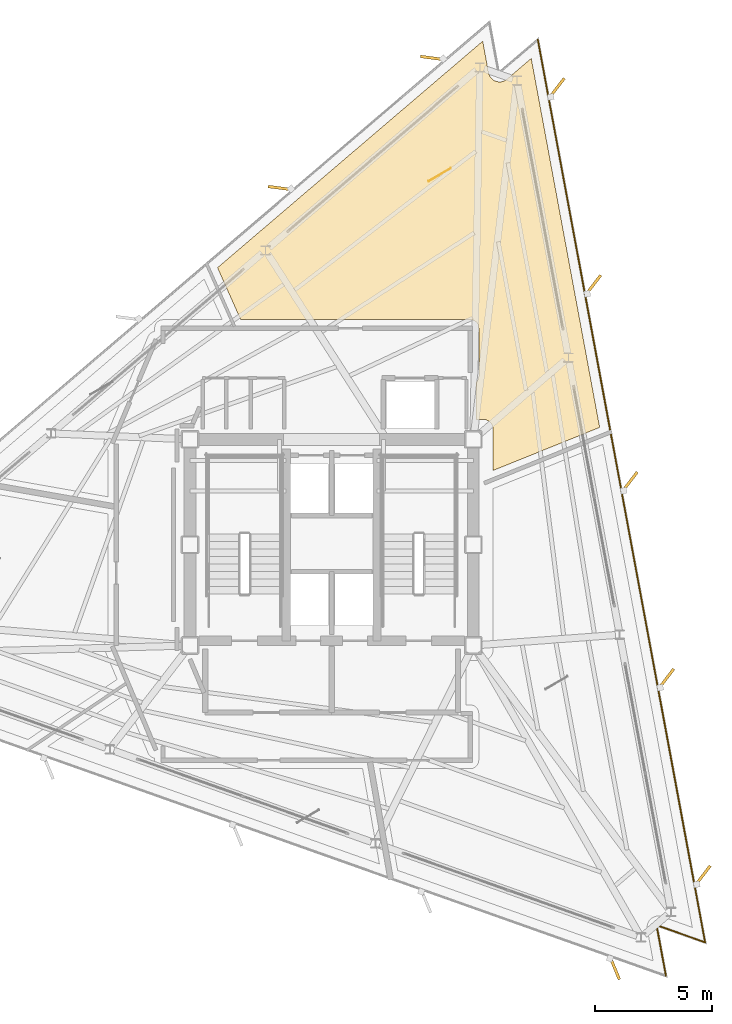
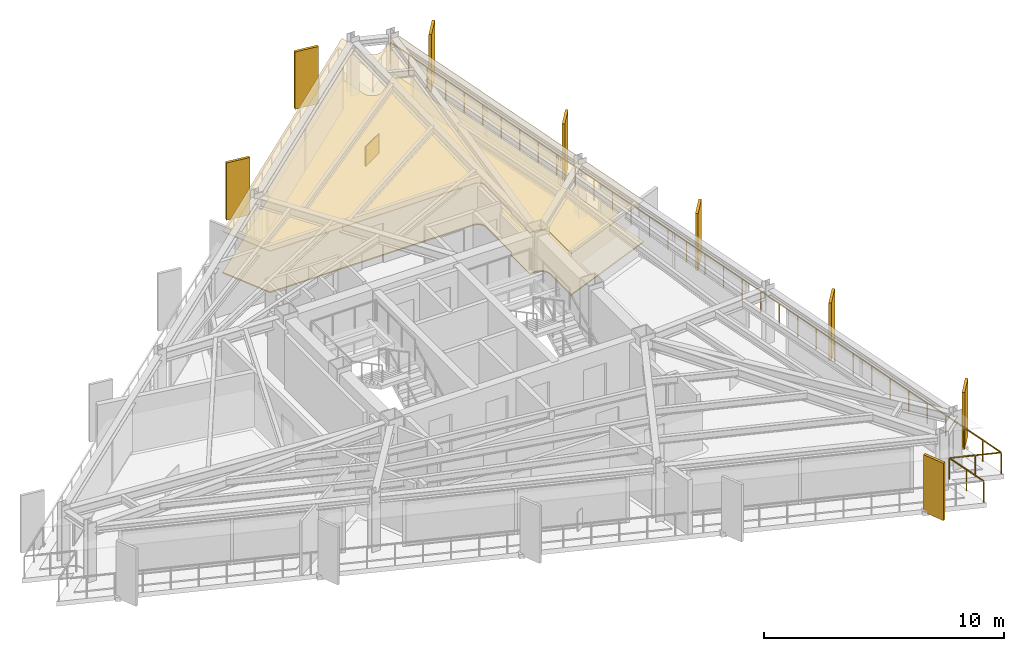
# One storey, part 14 of 14: 8 shading devices, 3 coverings, 1 railing.
"""IFC4 building model written with IfcOpenShell, lengths in metres."""

from ifc_helpers import new_model, si_unit, direction, frame, origin, origin_2d, place, context, subcontext, project, spatial, polyline, rectangle, outline, extrude, material, layer, layer_set, type_object, element, save


model = new_model("IFC4")

# Units and contexts
model_context = context("Model", 3, precision=1e-05, world=origin(), true_north=direction((0.0, 1.0)))
body_context = subcontext(model_context, "Body", "Model", "MODEL_VIEW")
ifc_project = project(units=[si_unit("LENGTHUNIT", "METRE"), si_unit("AREAUNIT", "SQUARE_METRE"), si_unit("VOLUMEUNIT", "CUBIC_METRE"), si_unit("PLANEANGLEUNIT", "RADIAN"), si_unit("MASSUNIT", "GRAM", prefix="KILO")], contexts=[model_context])

# Site, building, storey
site_placement = place(None, origin())
site = spatial("IfcSite", under=ifc_project, at=site_placement, CompositionType="ELEMENT")
building_placement = place(site_placement, origin())
building = spatial("IfcBuilding", under=site, at=building_placement, Name="Rocaltana Carrier Exchange", CompositionType="ELEMENT")
storey_placement = place(building_placement, frame((0.0, 0.0, 184.47998046875)))
storey = spatial("IfcBuildingStorey", under=building, at=storey_placement, Name="L58", CompositionType="ELEMENT", Elevation=184.47998046875)

# Coverings
ifc_material_1 = material(Name="Calcium Sulphate & Aluminium Pedestal", Category="aluminium")
ifc_layer_1 = layer(ifc_material_1, 0.06005859375)
ifc_layer_set_1 = layer_set([ifc_layer_1], Name="Calcium Sulphate & Aluminium Pedestal")
covering_type_1 = type_object("IfcCoveringType", Name="Anti-Static Raised Exchange Access Floor 60", PredefinedType="FLOORING", material=ifc_layer_set_1)
covering_1_placement = place(storey_placement, origin())
element("IfcCovering", 1, at=covering_1_placement, inside=storey, type_object=covering_type_1, Name="L58 Optical Switching Laboratory Finish Floor", PredefinedType="FLOORING", context=body_context, shape_type="SweptSolid", body=[
    extrude(outline(polyline([(6.159912109375, 6.931884765625), (6.16455078125, 6.93603515625), (6.18408203125, 6.955322265625), (6.189208984375, 6.961181640625), (6.206787109375, 6.982421875), (6.21142578125, 6.98876953125), (6.226806640625, 7.01171875), (6.230712890625, 7.018310546875), (6.24365234375, 7.04248046875), (6.2470703125, 7.0498046875), (6.257568359375, 7.0751953125), (6.26025390625, 7.08251953125), (6.268310546875, 7.108642578125), (6.27001953125, 7.116455078125), (6.275390625, 7.143310546875), (6.276611328125, 7.151123046875), (6.279296875, 7.178466796875), (6.27978515625, 7.186279296875), (6.280029296875, 7.199951171875), (6.280029296875, 9.25), (6.27978515625, 9.263671875), (6.279296875, 9.271484375), (6.276611328125, 9.298828125), (6.275390625, 9.306640625), (6.27001953125, 9.33349609375), (6.268310546875, 9.34130859375), (6.26025390625, 9.36767578125), (6.257568359375, 9.375), (6.2470703125, 9.400390625), (6.24365234375, 9.407470703125), (6.230712890625, 9.431640625), (6.226806640625, 9.4384765625), (6.21142578125, 9.461181640625), (6.206787109375, 9.467529296875), (6.189208984375, 9.48876953125), (6.18408203125, 9.49462890625), (6.16455078125, 9.513916015625), (6.15869140625, 9.519287109375), (6.137451171875, 9.53662109375), (6.131103515625, 9.54150390625), (6.1083984375, 9.556640625), (6.101806640625, 9.560791015625), (6.077392578125, 9.57373046875), (6.0703125, 9.576904296875), (6.044921875, 9.58740234375), (6.03759765625, 9.590087890625), (6.01123046875, 9.59814453125), (6.003662109375, 9.60009765625), (5.976806640625, 9.60546875), (5.968994140625, 9.606689453125), (5.941650390625, 9.609375), (5.93359375, 9.609619140625), (5.919921875, 9.610107421875), (-3.884521484375, 9.610107421875), (-4.87451171875, 11.83349609375), (6.447998046875, 21.50390625), (6.697265625, 20.157958984375), (6.7001953125, 20.144287109375), (6.704833984375, 20.125), (6.712646484375, 20.09814453125), (6.718994140625, 20.079345703125), (6.7294921875, 20.053466796875), (6.73779296875, 20.035400390625), (6.7509765625, 20.010498046875), (6.760986328125, 19.993408203125), (6.7763671875, 19.97021484375), (6.7880859375, 19.9541015625), (6.8056640625, 19.932373046875), (6.819091796875, 19.91748046875), (6.838623046875, 19.897705078125), (6.853515625, 19.88427734375), (6.875, 19.866455078125), (6.89111328125, 19.8544921875), (6.914306640625, 19.839111328125), (6.931396484375, 19.828857421875), (6.955810546875, 19.815673828125), (6.973876953125, 19.80712890625), (6.999755859375, 19.796630859375), (7.0185546875, 19.789794921875), (7.04541015625, 19.781982421875), (7.064697265625, 19.777099609375), (7.092041015625, 19.77197265625), (7.11181640625, 19.76904296875), (7.1396484375, 19.7666015625), (7.159423828125, 19.765625), (7.1875, 19.76611328125), (7.207275390625, 19.76708984375), (7.235107421875, 19.770263671875), (7.2548828125, 19.773193359375), (7.281982421875, 19.779052734375), (7.301513671875, 19.7841796875), (7.327880859375, 19.79248046875), (7.3466796875, 19.799560546875), (7.372314453125, 19.810791015625), (7.39013671875, 19.819580078125), (7.41455078125, 19.8330078125), (7.431396484375, 19.843505859375), (7.454345703125, 19.859619140625), (7.47021484375, 19.87158203125), (7.48095703125, 19.880615234375), (8.521728515625, 20.769287109375), (11.4423828125, 5.01123046875), (6.889892578125, 3.172119140625), (6.889892578125, 4.919921875), (6.8896484375, 4.93359375), (6.888916015625, 4.949462890625), (6.88623046875, 4.976806640625), (6.8837890625, 4.9921875), (6.87841796875, 5.019287109375), (6.874755859375, 5.034423828125), (6.86669921875, 5.060791015625), (6.861572265625, 5.07568359375), (6.850830078125, 5.100830078125), (6.84423828125, 5.114990234375), (6.831298828125, 5.139404296875), (6.8232421875, 5.15283203125), (6.807861328125, 5.17578125), (6.798583984375, 5.188232421875), (6.781005859375, 5.20947265625), (6.7705078125, 5.22119140625), (6.751220703125, 5.240478515625), (6.739501953125, 5.251220703125), (6.71826171875, 5.2685546875), (6.705810546875, 5.27783203125), (6.682861328125, 5.293212890625), (6.66943359375, 5.30126953125), (6.64501953125, 5.314208984375), (6.630859375, 5.32080078125), (6.605712890625, 5.33154296875), (6.5908203125, 5.336669921875), (6.564453125, 5.3447265625), (6.54931640625, 5.348388671875), (6.522216796875, 5.35400390625), (6.5068359375, 5.356201171875), (6.4794921875, 5.35888671875), (6.463623046875, 5.359619140625), (6.449951171875, 5.360107421875), (6.159912109375, 5.360107421875), (6.159912109375, 6.931884765625)])), origin(), (0.0, 0.0, 1.0), 0.06005859375),
])
ifc_material_2 = material(Name="Mineral Fibre & Powder-Coated Aluminium", Category="aluminium")
ifc_layer_2 = layer(ifc_material_2, 0.044921875)
ifc_layer_set_2 = layer_set([ifc_layer_2], Name="Mineral Fibre & Powder-Coated Aluminium")
covering_type_2 = type_object("IfcCoveringType", Name="Micro-Perforated Acoustic Ceiling 45", PredefinedType="CEILING", material=ifc_layer_set_2)
covering_2_placement = place(storey_placement, frame((0.0, 0.0, 2.10302734375)))
element("IfcCovering", 2, at=covering_2_placement, inside=storey, type_object=covering_type_2, Name="L58 Optical Switching Laboratory Acoustic Ceiling", PredefinedType="CEILING", context=body_context, shape_type="SweptSolid", body=[
    extrude(outline(polyline([(6.159912109375, 6.931884765625), (6.16455078125, 6.93603515625), (6.18408203125, 6.955322265625), (6.189208984375, 6.961181640625), (6.206787109375, 6.982421875), (6.21142578125, 6.98876953125), (6.226806640625, 7.01171875), (6.230712890625, 7.018310546875), (6.24365234375, 7.04248046875), (6.2470703125, 7.0498046875), (6.257568359375, 7.0751953125), (6.26025390625, 7.08251953125), (6.268310546875, 7.108642578125), (6.27001953125, 7.116455078125), (6.275390625, 7.143310546875), (6.276611328125, 7.151123046875), (6.279296875, 7.178466796875), (6.27978515625, 7.186279296875), (6.280029296875, 7.199951171875), (6.280029296875, 9.25), (6.27978515625, 9.263671875), (6.279296875, 9.271484375), (6.276611328125, 9.298828125), (6.275390625, 9.306640625), (6.27001953125, 9.33349609375), (6.268310546875, 9.34130859375), (6.26025390625, 9.36767578125), (6.257568359375, 9.375), (6.2470703125, 9.400390625), (6.24365234375, 9.407470703125), (6.230712890625, 9.431640625), (6.226806640625, 9.4384765625), (6.21142578125, 9.461181640625), (6.206787109375, 9.467529296875), (6.189208984375, 9.48876953125), (6.18408203125, 9.49462890625), (6.16455078125, 9.513916015625), (6.15869140625, 9.519287109375), (6.137451171875, 9.53662109375), (6.131103515625, 9.54150390625), (6.1083984375, 9.556640625), (6.101806640625, 9.560791015625), (6.077392578125, 9.57373046875), (6.0703125, 9.576904296875), (6.044921875, 9.58740234375), (6.03759765625, 9.590087890625), (6.01123046875, 9.59814453125), (6.003662109375, 9.60009765625), (5.976806640625, 9.60546875), (5.968994140625, 9.606689453125), (5.941650390625, 9.609375), (5.93359375, 9.609619140625), (5.919921875, 9.610107421875), (-3.884521484375, 9.610107421875), (-4.87451171875, 11.83349609375), (6.447998046875, 21.50390625), (6.697265625, 20.157958984375), (6.7001953125, 20.144287109375), (6.704833984375, 20.125), (6.712646484375, 20.09814453125), (6.718994140625, 20.079345703125), (6.7294921875, 20.053466796875), (6.73779296875, 20.035400390625), (6.7509765625, 20.010498046875), (6.760986328125, 19.993408203125), (6.7763671875, 19.97021484375), (6.7880859375, 19.9541015625), (6.8056640625, 19.932373046875), (6.819091796875, 19.91748046875), (6.838623046875, 19.897705078125), (6.853515625, 19.88427734375), (6.875, 19.866455078125), (6.89111328125, 19.8544921875), (6.914306640625, 19.839111328125), (6.931396484375, 19.828857421875), (6.955810546875, 19.815673828125), (6.973876953125, 19.80712890625), (6.999755859375, 19.796630859375), (7.0185546875, 19.789794921875), (7.04541015625, 19.781982421875), (7.064697265625, 19.777099609375), (7.092041015625, 19.77197265625), (7.11181640625, 19.76904296875), (7.1396484375, 19.7666015625), (7.159423828125, 19.765625), (7.1875, 19.76611328125), (7.207275390625, 19.76708984375), (7.235107421875, 19.770263671875), (7.2548828125, 19.773193359375), (7.281982421875, 19.779052734375), (7.301513671875, 19.7841796875), (7.327880859375, 19.79248046875), (7.3466796875, 19.799560546875), (7.372314453125, 19.810791015625), (7.39013671875, 19.819580078125), (7.41455078125, 19.8330078125), (7.431396484375, 19.843505859375), (7.454345703125, 19.859619140625), (7.47021484375, 19.87158203125), (7.48095703125, 19.880615234375), (8.521728515625, 20.769287109375), (11.4423828125, 5.01123046875), (6.889892578125, 3.172119140625), (6.889892578125, 4.919921875), (6.8896484375, 4.93359375), (6.888916015625, 4.949462890625), (6.88623046875, 4.976806640625), (6.8837890625, 4.9921875), (6.87841796875, 5.019287109375), (6.874755859375, 5.034423828125), (6.86669921875, 5.060791015625), (6.861572265625, 5.07568359375), (6.850830078125, 5.100830078125), (6.84423828125, 5.114990234375), (6.831298828125, 5.139404296875), (6.8232421875, 5.15283203125), (6.807861328125, 5.17578125), (6.798583984375, 5.188232421875), (6.781005859375, 5.20947265625), (6.7705078125, 5.22119140625), (6.751220703125, 5.240478515625), (6.739501953125, 5.251220703125), (6.71826171875, 5.2685546875), (6.705810546875, 5.27783203125), (6.682861328125, 5.293212890625), (6.66943359375, 5.30126953125), (6.64501953125, 5.314208984375), (6.630859375, 5.32080078125), (6.605712890625, 5.33154296875), (6.5908203125, 5.336669921875), (6.564453125, 5.3447265625), (6.54931640625, 5.348388671875), (6.522216796875, 5.35400390625), (6.5068359375, 5.356201171875), (6.4794921875, 5.35888671875), (6.463623046875, 5.359619140625), (6.449951171875, 5.360107421875), (6.159912109375, 5.360107421875), (6.159912109375, 6.931884765625)])), origin(), (0.0, 0.0, 1.0), 0.044921875),
])
ifc_material_3 = material(Name="Honed Piedra Muneca Sandstone", Category="masonry")
ifc_layer_3 = layer(ifc_material_3, 0.034912109375)
ifc_layer_set_3 = layer_set([ifc_layer_3], Name="Honed Piedra Muneca Sandstone")
covering_type_3 = type_object("IfcCoveringType", Name="Stone Facade Cladding 35", PredefinedType="CLADDING", material=ifc_layer_set_3)
covering_3_placement = place(storey_placement, frame((4.60595703125, 15.799560546875, 0.0), z_axis=(0.0, 0.0, 1.0), x_axis=(0.866025403784, 0.5, 0.0)))
element("IfcCovering", 3, at=covering_3_placement, inside=storey, type_object=covering_type_3, Name="L58 Stone Facade Cladding Panel 4", PredefinedType="CLADDING", context=body_context, shape_type="SweptSolid", body=[
    extrude(rectangle(XDim=1.10009765625, YDim=0.034912109375, at=origin_2d()), origin(), (0.0, 0.0, 1.0), 1.050048828125),
])

# Shading devices
ifc_material_4 = material(Name="Honed Bogota Sandstone & Concrete C45/55", Category="masonry")
ifc_layer_4 = layer(ifc_material_4, 0.1201171875)
ifc_layer_set_4 = layer_set([ifc_layer_4], Name="Honed Bogota Sandstone & Concrete C45/55")
shading_device_type = type_object("IfcShadingDeviceType", Name="Upper Sandstone Shading Fin 1050x120", PredefinedType="USERDEFINED", material=ifc_layer_set_4)
for number, where, z_axis, x_axis, name in (
    (4, (15.84375, -14.124755859375, -0.119873046875), (0.0, 0.0, 1.0), (0.608761429009, 0.793353340291, 0.0), "L58 Sandstone Vertical Fin F1-01"),
    (5, (14.28564453125, -5.718017578125, -0.119873046875), (0.0, 0.0, 1.0), (0.608761429009, 0.793353340291, 0.0), "L58 Sandstone Vertical Fin F1-02"),
    (6, (12.7275390625, 2.68896484375, -0.119873046875), (0.0, 0.0, 1.0), (0.608761429009, 0.793353340291, 0.0), "L58 Sandstone Vertical Fin F1-03"),
    (7, (11.16943359375, 11.095703125, -0.119873046875), (0.0, 0.0, 1.0), (0.608761429009, 0.793353340291, 0.0), "L58 Sandstone Vertical Fin F1-04"),
    (8, (9.611328125, 19.502685546875, -0.119873046875), (0.0, 0.0, 1.0), (0.608761429009, 0.793353340291, 0.0), "L58 Sandstone Vertical Fin F1-05"),
    (9, (4.310546875, 20.783447265625, -0.119873046875), (0.0, 0.0, 1.0), (-0.991444861374, 0.13052619222, 0.0), "L58 Sandstone Vertical Fin F2-01"),
    (10, (-2.19091796875, 15.230712890625, -0.119873046875), (0.0, 0.0, 1.0), (-0.991444861374, 0.13052619222, 0.0), "L58 Sandstone Vertical Fin F2-02"),
    (11, (12.083984375, -18.074951171875, -0.119873046875), (0.0, 0.0, 1.0), (0.382683432365, -0.923879532511, 0.0), "L58 Sandstone Vertical Fin F3-05"),
):
    element("IfcShadingDevice", number, at=place(storey_placement, frame(where, z_axis=z_axis, x_axis=x_axis)), inside=storey, type_object=shading_device_type, Name=name, ObjectType="FIN", PredefinedType="USERDEFINED", context=body_context, shape_type="SweptSolid", body=[
        extrude(rectangle(XDim=1.050048828125, YDim=0.1201171875, at=origin_2d()), origin(), (0.0, 0.0, 1.0), 2.91796875),
    ])

# Railing
ifc_material_5 = material(Name="Powder-Coated Aluminium 6063-T6", Category="aluminium")
ifc_layer_5 = layer(ifc_material_5, 0.06005859375)
ifc_layer_set_5 = layer_set([ifc_layer_5], Name="Powder-Coated Aluminium 6063-T6")
railing_type = type_object("IfcRailingType", Name="Wind-Floor & Terrace Perimeter Guardrail 1100", PredefinedType="GUARDRAIL", material=ifc_layer_set_5)
railing_placement = place(storey_placement, frame((8.802001953125, 21.561279296875, 0.0)))
element("IfcRailing", 12, at=railing_placement, inside=storey, type_object=railing_type, Name="L58 Perimeter Balcony Guardrail 3", PredefinedType="GUARDRAIL", context=body_context, shape_type="SweptSolid", body=[
    extrude(rectangle(XDim=0.048095703125, YDim=0.048095703125, at=origin_2d()), frame((0.0, 0.0, 1.076171875), z_axis=(0.182238712152, -0.983254316946, 0.0), x_axis=(0.983254316946, 0.182238712152, 0.0)), (0.0, 0.0, 1.0), 39.192138671875),
    extrude(rectangle(XDim=0.048095703125, YDim=0.048095703125, at=origin_2d()), frame((7.142333984375, -38.535888671875, 1.076171875), z_axis=(-0.942672327986, 0.333719765747, 0.0), x_axis=(-0.333719765747, -0.942672327986, 0.0)), (0.0, 0.0, 1.0), 2.199951171875),
    extrude(rectangle(XDim=0.048095703125, YDim=0.048095703125, at=origin_2d()), frame((5.068603515625, -37.8017578125, 1.076171875), z_axis=(0.1822243738, -0.983256974342, 0.0), x_axis=(0.983256974342, 0.1822243738, 0.0)), (0.0, 0.0, 1.0), 2.199951171875),
    extrude(rectangle(XDim=0.0419921875, YDim=0.0419921875, at=origin_2d()), origin(), (0.0, 0.0, 1.0), 1.052001953125),
    extrude(rectangle(XDim=0.0419921875, YDim=0.0419921875, at=origin_2d()), frame((0.216552734375, -1.167724609375, 0.0)), (0.0, 0.0, 1.0), 1.052001953125),
    extrude(rectangle(XDim=0.0419921875, YDim=0.0419921875, at=origin_2d()), frame((0.432861328125, -2.33544921875, 0.0)), (0.0, 0.0, 1.0), 1.052001953125),
    extrude(rectangle(XDim=0.0419921875, YDim=0.0419921875, at=origin_2d()), frame((0.6494140625, -3.503173828125, 0.0)), (0.0, 0.0, 1.0), 1.052001953125),
    extrude(rectangle(XDim=0.0419921875, YDim=0.0419921875, at=origin_2d()), frame((0.86572265625, -4.6708984375, 0.0)), (0.0, 0.0, 1.0), 1.052001953125),
    extrude(rectangle(XDim=0.0419921875, YDim=0.0419921875, at=origin_2d()), frame((1.082275390625, -5.8388671875, 0.0)), (0.0, 0.0, 1.0), 1.052001953125),
    extrude(rectangle(XDim=0.0419921875, YDim=0.0419921875, at=origin_2d()), frame((1.298583984375, -7.006591796875, 0.0)), (0.0, 0.0, 1.0), 1.052001953125),
    extrude(rectangle(XDim=0.0419921875, YDim=0.0419921875, at=origin_2d()), frame((1.51513671875, -8.17431640625, 0.0)), (0.0, 0.0, 1.0), 1.052001953125),
    extrude(rectangle(XDim=0.0419921875, YDim=0.0419921875, at=origin_2d()), frame((1.7314453125, -9.342041015625, 0.0)), (0.0, 0.0, 1.0), 1.052001953125),
    extrude(rectangle(XDim=0.0419921875, YDim=0.0419921875, at=origin_2d()), frame((1.947998046875, -10.509765625, 0.0)), (0.0, 0.0, 1.0), 1.052001953125),
    extrude(rectangle(XDim=0.0419921875, YDim=0.0419921875, at=origin_2d()), frame((2.164306640625, -11.677490234375, 0.0)), (0.0, 0.0, 1.0), 1.052001953125),
    extrude(rectangle(XDim=0.0419921875, YDim=0.0419921875, at=origin_2d()), frame((2.380859375, -12.84521484375, 0.0)), (0.0, 0.0, 1.0), 1.052001953125),
    extrude(rectangle(XDim=0.0419921875, YDim=0.0419921875, at=origin_2d()), frame((2.59716796875, -14.012939453125, 0.0)), (0.0, 0.0, 1.0), 1.052001953125),
    extrude(rectangle(XDim=0.0419921875, YDim=0.0419921875, at=origin_2d()), frame((2.813720703125, -15.180908203125, 0.0)), (0.0, 0.0, 1.0), 1.052001953125),
    extrude(rectangle(XDim=0.0419921875, YDim=0.0419921875, at=origin_2d()), frame((3.030029296875, -16.3486328125, 0.0)), (0.0, 0.0, 1.0), 1.052001953125),
    extrude(rectangle(XDim=0.0419921875, YDim=0.0419921875, at=origin_2d()), frame((3.24658203125, -17.516357421875, 0.0)), (0.0, 0.0, 1.0), 1.052001953125),
    extrude(rectangle(XDim=0.0419921875, YDim=0.0419921875, at=origin_2d()), frame((3.462890625, -18.68408203125, 0.0)), (0.0, 0.0, 1.0), 1.052001953125),
    extrude(rectangle(XDim=0.0419921875, YDim=0.0419921875, at=origin_2d()), frame((3.679443359375, -19.851806640625, 0.0)), (0.0, 0.0, 1.0), 1.052001953125),
    extrude(rectangle(XDim=0.0419921875, YDim=0.0419921875, at=origin_2d()), frame((3.895751953125, -21.01953125, 0.0)), (0.0, 0.0, 1.0), 1.052001953125),
    extrude(rectangle(XDim=0.0419921875, YDim=0.0419921875, at=origin_2d()), frame((4.1123046875, -22.187255859375, 0.0)), (0.0, 0.0, 1.0), 1.052001953125),
    extrude(rectangle(XDim=0.0419921875, YDim=0.0419921875, at=origin_2d()), frame((4.32861328125, -23.35498046875, 0.0)), (0.0, 0.0, 1.0), 1.052001953125),
    extrude(rectangle(XDim=0.0419921875, YDim=0.0419921875, at=origin_2d()), frame((4.545166015625, -24.52294921875, 0.0)), (0.0, 0.0, 1.0), 1.052001953125),
    extrude(rectangle(XDim=0.0419921875, YDim=0.0419921875, at=origin_2d()), frame((4.761474609375, -25.690673828125, 0.0)), (0.0, 0.0, 1.0), 1.052001953125),
    extrude(rectangle(XDim=0.0419921875, YDim=0.0419921875, at=origin_2d()), frame((4.97802734375, -26.8583984375, 0.0)), (0.0, 0.0, 1.0), 1.052001953125),
    extrude(rectangle(XDim=0.0419921875, YDim=0.0419921875, at=origin_2d()), frame((5.1943359375, -28.026123046875, 0.0)), (0.0, 0.0, 1.0), 1.052001953125),
    extrude(rectangle(XDim=0.0419921875, YDim=0.0419921875, at=origin_2d()), frame((5.410888671875, -29.19384765625, 0.0)), (0.0, 0.0, 1.0), 1.052001953125),
    extrude(rectangle(XDim=0.0419921875, YDim=0.0419921875, at=origin_2d()), frame((5.627197265625, -30.361572265625, 0.0)), (0.0, 0.0, 1.0), 1.052001953125),
    extrude(rectangle(XDim=0.0419921875, YDim=0.0419921875, at=origin_2d()), frame((5.84375, -31.529296875, 0.0)), (0.0, 0.0, 1.0), 1.052001953125),
    extrude(rectangle(XDim=0.0419921875, YDim=0.0419921875, at=origin_2d()), frame((6.06005859375, -32.697021484375, 0.0)), (0.0, 0.0, 1.0), 1.052001953125),
    extrude(rectangle(XDim=0.0419921875, YDim=0.0419921875, at=origin_2d()), frame((6.276611328125, -33.864990234375, 0.0)), (0.0, 0.0, 1.0), 1.052001953125),
    extrude(rectangle(XDim=0.0419921875, YDim=0.0419921875, at=origin_2d()), frame((6.492919921875, -35.03271484375, 0.0)), (0.0, 0.0, 1.0), 1.052001953125),
    extrude(rectangle(XDim=0.0419921875, YDim=0.0419921875, at=origin_2d()), frame((6.70947265625, -36.200439453125, 0.0)), (0.0, 0.0, 1.0), 1.052001953125),
    extrude(rectangle(XDim=0.0419921875, YDim=0.0419921875, at=origin_2d()), frame((6.92578125, -37.3681640625, 0.0)), (0.0, 0.0, 1.0), 1.052001953125),
    extrude(rectangle(XDim=0.0419921875, YDim=0.0419921875, at=origin_2d()), frame((7.142333984375, -38.535888671875, 0.0)), (0.0, 0.0, 1.0), 1.052001953125),
    extrude(rectangle(XDim=0.0419921875, YDim=0.0419921875, at=origin_2d()), frame((6.10546875, -38.1689453125, 0.0)), (0.0, 0.0, 1.0), 1.052001953125),
    extrude(rectangle(XDim=0.0419921875, YDim=0.0419921875, at=origin_2d()), frame((5.068603515625, -37.8017578125, 0.0)), (0.0, 0.0, 1.0), 1.052001953125),
    extrude(rectangle(XDim=0.0419921875, YDim=0.0419921875, at=origin_2d()), frame((5.26904296875, -38.88330078125, 0.0)), (0.0, 0.0, 1.0), 1.052001953125),
    extrude(rectangle(XDim=0.0419921875, YDim=0.0419921875, at=origin_2d()), frame((5.469482421875, -39.96484375, 0.0)), (0.0, 0.0, 1.0), 1.052001953125),
])

save(model, "model.ifc")
